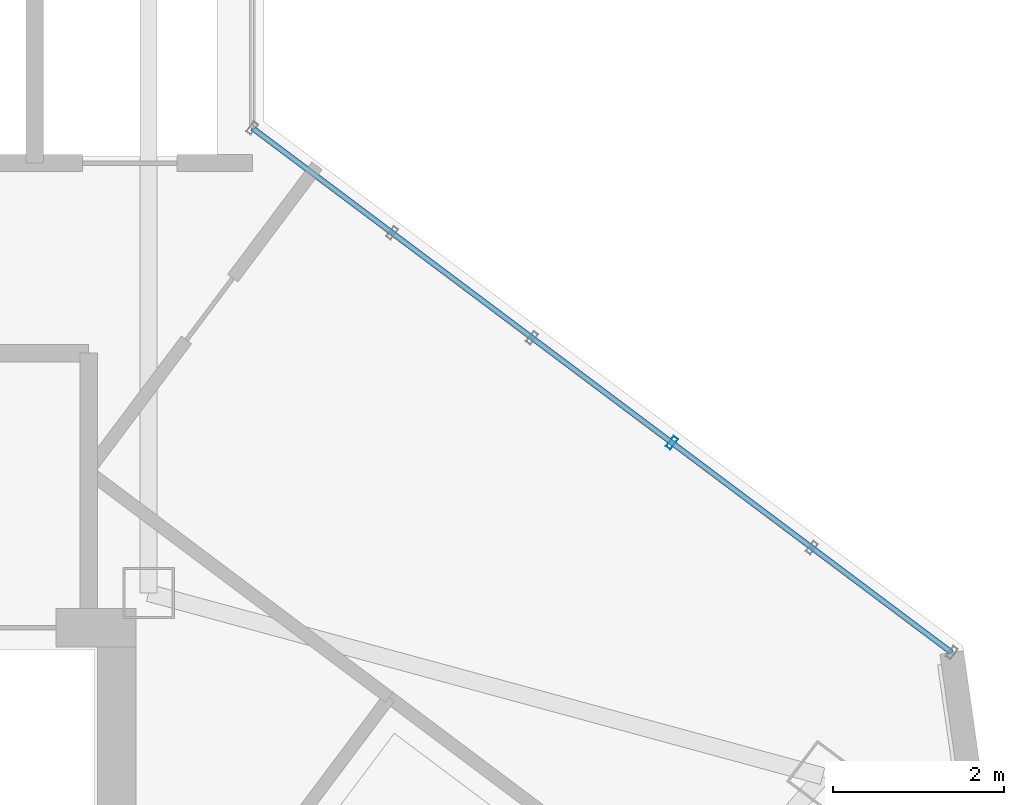
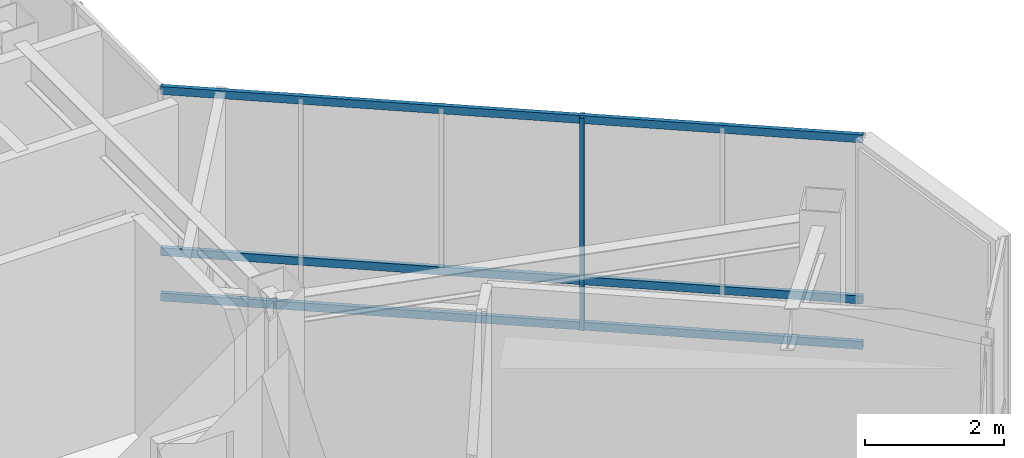
# One storey, part 18 of 31: 4 members, 1 element without a shape of its own.
"""IFC4 building model written with IfcOpenShell, lengths in metres."""

from ifc_helpers import new_model, si_unit, direction, frame, origin, origin_2d, place, context, subcontext, project, spatial, hollow_rectangle, extrude, material, layer, layer_set, material_profile, profile_set, type_object, element, aggregate, save


model = new_model("IFC4")

# Units and contexts
model_context = context("Model", 3, precision=1e-05, world=origin(), true_north=direction((0.0, 1.0)))
body_context = subcontext(model_context, "Body", "Model", "MODEL_VIEW")
ifc_project = project(units=[si_unit("LENGTHUNIT", "METRE"), si_unit("AREAUNIT", "SQUARE_METRE"), si_unit("VOLUMEUNIT", "CUBIC_METRE"), si_unit("PLANEANGLEUNIT", "RADIAN"), si_unit("MASSUNIT", "GRAM", prefix="KILO")], contexts=[model_context])

# Site, building, storey
site_placement = place(None, origin())
site = spatial("IfcSite", under=ifc_project, at=site_placement, CompositionType="ELEMENT")
building_placement = place(site_placement, origin())
building = spatial("IfcBuilding", under=site, at=building_placement, Name="Hatsunagi Terrace Concourse", CompositionType="ELEMENT")
storey_placement = place(building_placement, frame((0.0, 0.0, 269.949951171875)))
storey = spatial("IfcBuildingStorey", under=building, at=storey_placement, Name="L71", CompositionType="ELEMENT", Elevation=269.949951171875)

# Curtain wall, members
ifc_material_1 = material(Name="Anodised Aluminium Alloy 6063-T5", Category="aluminium")
ifc_layer = layer(ifc_material_1, 0.199951171875)
ifc_layer_set = layer_set([ifc_layer], Name="CrownWintergarden_CW06")
curtain_wall_type = type_object("IfcCurtainWallType", Name="CrownWintergarden_CW06", PredefinedType="NOTDEFINED", material=ifc_layer_set)
curtain_wall_placement = place(storey_placement, origin())
curtain_wall = element("IfcCurtainWall", 1, at=curtain_wall_placement, inside=storey, type_object=curtain_wall_type, Name="Unitised Curtain Wall CW-06 CW-L71-01", PredefinedType="NOTDEFINED")
ifc_material_2 = material(Name="Anodised Aluminium Alloy 6063-T5", Category="aluminium")
ifc_material_profile_1 = material_profile(ifc_material_2, hollow_rectangle(XDim=0.06494140625, YDim=0.14990234375, WallThickness=0.00390625, at=origin_2d()), Name="ALU-MUL-150x65x4")
ifc_profile_set_1 = profile_set([ifc_material_profile_1], Name="Anodised Aluminium Alloy 6063-T5")
member_type_1 = type_object("IfcMemberType", Name="CurtainWallMullion_Crown_150x65", PredefinedType="MULLION", material=ifc_profile_set_1)
member_1_placement = place(storey_placement, frame((49.761962890625, 37.053955078125, 0.0), z_axis=(0.0, 0.0, 1.0), x_axis=(0.800023013105, -0.599969314634, 0.0)))
member_1 = element("IfcMember", 2, at=member_1_placement, type_object=member_type_1, Name="Curtain Wall Mullion MUL-03", PredefinedType="MULLION", context=body_context, shape_type="SweptSolid", body=[
    extrude(hollow_rectangle(XDim=0.06494140625, YDim=0.14990234375, WallThickness=0.00390625, at=origin_2d()), origin(), (0.0, 0.0, 1.0), 3.739990234375),
])
ifc_material_3 = material(Name="Anodised Aluminium Alloy 6063-T5", Category="aluminium")
ifc_material_profile_2 = material_profile(ifc_material_3, hollow_rectangle(XDim=0.06494140625, YDim=0.139892578125, WallThickness=0.00390625, at=origin_2d()), Name="ALU-TRN-140x65x4")
ifc_profile_set_2 = profile_set([ifc_material_profile_2], Name="Anodised Aluminium Alloy 6063-T5")
member_type_2 = type_object("IfcMemberType", Name="CurtainWallTransom_140x65", PredefinedType="USERDEFINED", material=ifc_profile_set_2)
member_2_placement = place(storey_placement, frame((44.860107421875, 40.72998046875, 0.050048828125), z_axis=(0.800022950109, -0.599969398635, 0.0), x_axis=(0.599969398635, 0.800022950109, 0.0)))
member_2 = element("IfcMember", 3, at=member_2_placement, type_object=member_type_2, Name="Curtain Wall Transom TRN-02", ObjectType="TRANSOM", PredefinedType="USERDEFINED", context=body_context, shape_type="SweptSolid", body=[
    extrude(hollow_rectangle(XDim=0.06494140625, YDim=0.139892578125, WallThickness=0.00390625, at=origin_2d()), origin(), (0.0, 0.0, 1.0), 10.212158203125),
])
member_3_placement = place(storey_placement, frame((44.860107421875, 40.72998046875, 0.85009765625), z_axis=(0.800022950109, -0.599969398635, 0.0), x_axis=(0.599969398635, 0.800022950109, 0.0)))
member_3 = element("IfcMember", 4, at=member_3_placement, type_object=member_type_2, Name="Curtain Wall Transom TRN-02", ObjectType="TRANSOM", PredefinedType="USERDEFINED", context=body_context, shape_type="SweptSolid", body=[
    extrude(hollow_rectangle(XDim=0.06494140625, YDim=0.139892578125, WallThickness=0.00390625, at=origin_2d()), origin(), (0.0, 0.0, 1.0), 10.212158203125),
])
member_4_placement = place(storey_placement, frame((44.860107421875, 40.72998046875, 3.68994140625), z_axis=(0.800022950109, -0.599969398635, 0.0), x_axis=(0.599969398635, 0.800022950109, 0.0)))
member_4 = element("IfcMember", 5, at=member_4_placement, type_object=member_type_2, Name="Curtain Wall Transom TRN-02", ObjectType="TRANSOM", PredefinedType="USERDEFINED", context=body_context, shape_type="SweptSolid", body=[
    extrude(hollow_rectangle(XDim=0.06494140625, YDim=0.139892578125, WallThickness=0.00390625, at=origin_2d()), origin(), (0.0, 0.0, 1.0), 10.212158203125),
])
aggregate(curtain_wall, [member_1, member_2, member_3, member_4])

save(model, "model.ifc")
